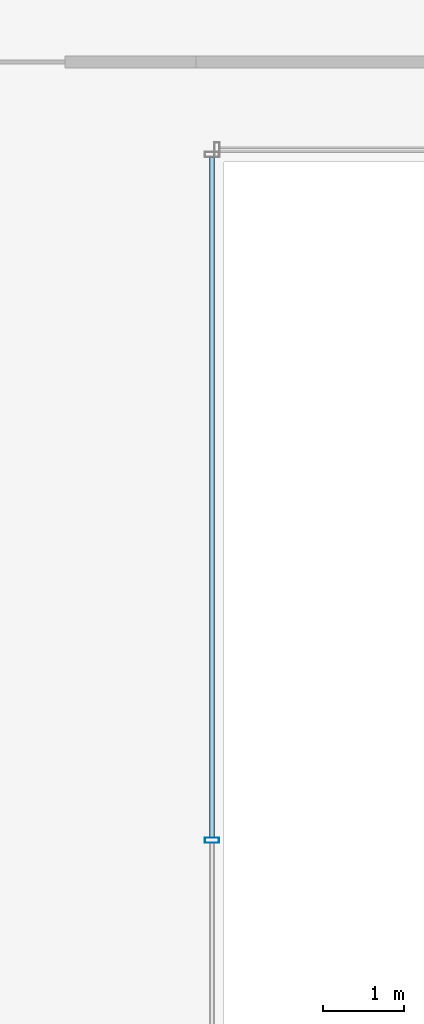
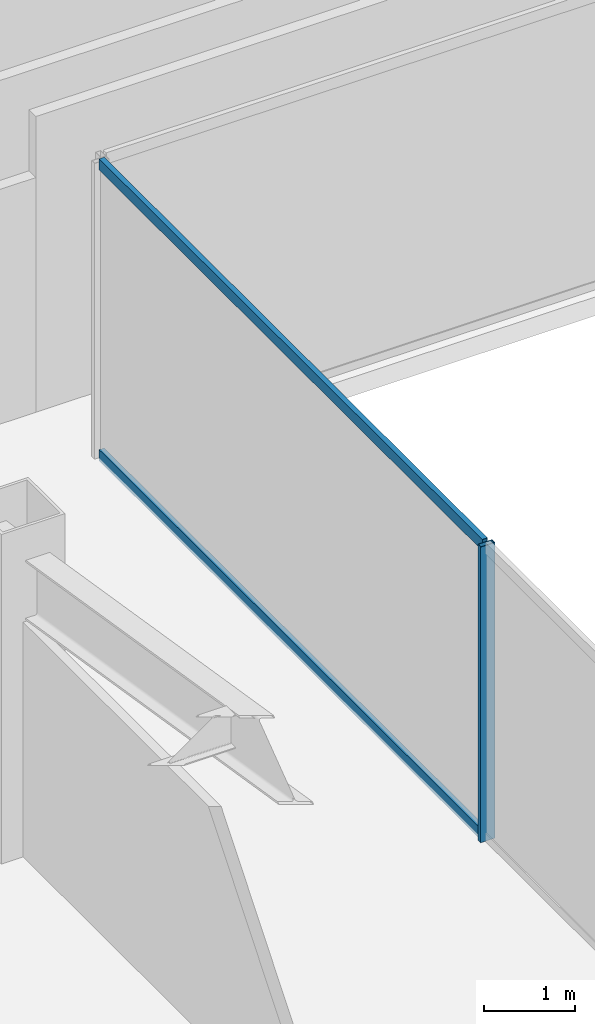
# One storey, part 14 of 47: 3 members, 1 element without a shape of its own.
"""IFC4 building model written with IfcOpenShell, lengths in metres."""

from ifc_helpers import new_model, si_unit, direction, frame, origin, origin_2d, place, context, subcontext, project, spatial, hollow_rectangle, extrude, material, material_profile, profile_set, type_object, element, aggregate, save


model = new_model("IFC4")

# Units and contexts
model_context = context("Model", 3, precision=1e-05, world=origin(), true_north=direction((0.0, 1.0)))
body_context = subcontext(model_context, "Body", "Model", "MODEL_VIEW")
ifc_project = project(units=[si_unit("LENGTHUNIT", "METRE"), si_unit("AREAUNIT", "SQUARE_METRE"), si_unit("VOLUMEUNIT", "CUBIC_METRE"), si_unit("PLANEANGLEUNIT", "RADIAN"), si_unit("MASSUNIT", "GRAM", prefix="KILO")], contexts=[model_context])

# Site, building, storey
site_placement = place(None, origin())
site = spatial("IfcSite", under=ifc_project, at=site_placement, CompositionType="ELEMENT")
building_placement = place(site_placement, origin())
building = spatial("IfcBuilding", under=site, at=building_placement, Name="Saevonmaru Cultural Tower", CompositionType="ELEMENT")
storey_placement = place(building_placement, frame((0.0, 0.0, 82.39990234375)))
storey = spatial("IfcBuildingStorey", under=building, at=storey_placement, Name="L17", CompositionType="ELEMENT", Elevation=82.39990234375)

# Curtain wall, members
ifc_material = material(Name="Satin Bronze Anodised Aluminium", Category="aluminium")
curtain_wall_type = type_object("IfcCurtainWallType", Name="CW-ATR-GLZ", PredefinedType="NOTDEFINED", material=ifc_material)
curtain_wall_placement = place(storey_placement, origin())
curtain_wall = element("IfcCurtainWall", 1, at=curtain_wall_placement, inside=storey, type_object=curtain_wall_type, Name="L17 Vertical Atrium Glazed Smoke Screen 4", PredefinedType="NOTDEFINED")
ifc_material_profile_1 = material_profile(ifc_material, hollow_rectangle(XDim=0.06494140625, YDim=0.179931640625, WallThickness=0.00390625, at=origin_2d()), Name="ALU-MULL-180x65x4")
ifc_profile_set_1 = profile_set([ifc_material_profile_1], Name="Satin Bronze Anodised Aluminium")
member_type_1 = type_object("IfcMemberType", Name="ML-CW-INT-180x65", PredefinedType="MULLION", material=ifc_profile_set_1)
member_1_placement = place(storey_placement, frame((24.050048828125, 29.360107421875, 0.0), z_axis=(0.0, 0.0, 1.0), x_axis=(0.0, -1.0, 0.0)))
member_1 = element("IfcMember", 2, at=member_1_placement, type_object=member_type_1, Name="CW-ATR-L17-4 mullion 2", PredefinedType="MULLION", context=body_context, shape_type="SweptSolid", body=[
    extrude(hollow_rectangle(XDim=0.06494140625, YDim=0.179931640625, WallThickness=0.00390625, at=origin_2d()), origin(), (0.0, 0.0, 1.0), 3.9501953125),
])
ifc_material_profile_2 = material_profile(ifc_material, hollow_rectangle(XDim=0.06494140625, YDim=0.14990234375, WallThickness=0.00390625, at=origin_2d()), Name="ALU-TRAN-150x65x4")
ifc_profile_set_2 = profile_set([ifc_material_profile_2], Name="Satin Bronze Anodised Aluminium")
member_type_2 = type_object("IfcMemberType", Name="TR-CW-INT-150x65", PredefinedType="USERDEFINED", material=ifc_profile_set_2)
member_2_placement = place(storey_placement, frame((24.050048828125, 37.777587890625, 0.03271484375), z_axis=(0.0, -1.0, 0.0), x_axis=(1.0, 0.0, 0.0)))
member_2 = element("IfcMember", 3, at=member_2_placement, type_object=member_type_2, Name="CW-ATR-L17-4 transom 1.1", ObjectType="TRANSOM", PredefinedType="USERDEFINED", context=body_context, shape_type="SweptSolid", body=[
    extrude(hollow_rectangle(XDim=0.06494140625, YDim=0.14990234375, WallThickness=0.00390625, at=origin_2d()), origin(), (0.0, 0.0, 1.0), 8.385009765625),
])
member_3_placement = place(storey_placement, frame((24.050048828125, 37.777587890625, 3.91748046875), z_axis=(0.0, -1.0, 0.0), x_axis=(1.0, 0.0, 0.0)))
member_3 = element("IfcMember", 4, at=member_3_placement, type_object=member_type_2, Name="CW-ATR-L17-4 transom 1.2", ObjectType="TRANSOM", PredefinedType="USERDEFINED", context=body_context, shape_type="SweptSolid", body=[
    extrude(hollow_rectangle(XDim=0.06494140625, YDim=0.14990234375, WallThickness=0.00390625, at=origin_2d()), origin(), (0.0, 0.0, 1.0), 8.385009765625),
])
aggregate(curtain_wall, [member_1, member_2, member_3])

save(model, "model.ifc")
